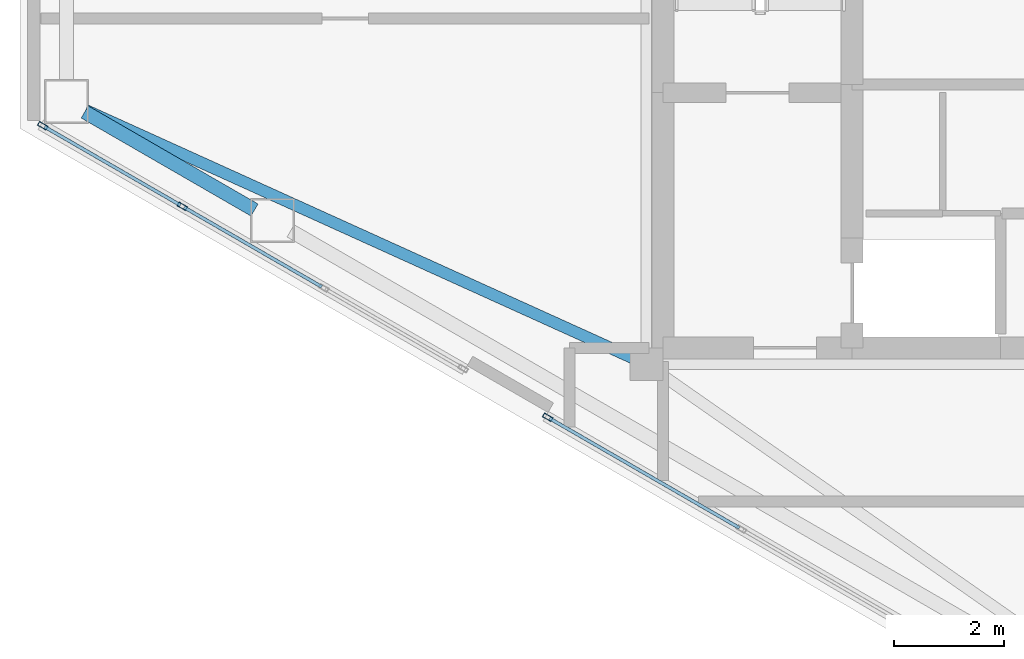
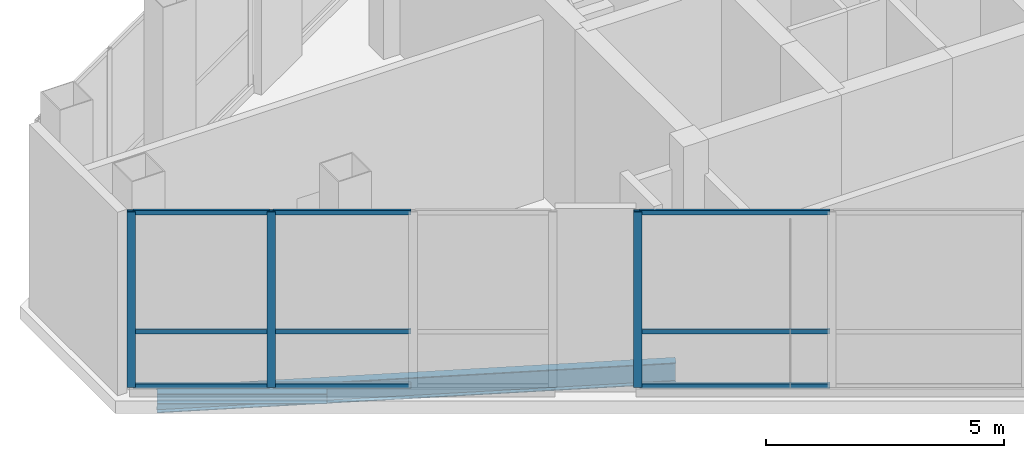
# One storey, part 3 of 13: 12 members, 2 beams, 2 elements without a shape of their own.
"""IFC4 building model written with IfcOpenShell, lengths in metres."""

from ifc_helpers import new_model, si_unit, direction, frame, origin, origin_2d, place, context, subcontext, project, spatial, hollow_rectangle, i_section, extrude, material, layer, layer_set, material_profile, profile_set, type_object, element, aggregate, save


model = new_model("IFC4")

# Units and contexts
model_context = context("Model", 3, precision=1e-05, world=origin(), true_north=direction((0.0, 1.0)))
body_context = subcontext(model_context, "Body", "Model", "MODEL_VIEW")
ifc_project = project(units=[si_unit("LENGTHUNIT", "METRE"), si_unit("AREAUNIT", "SQUARE_METRE"), si_unit("VOLUMEUNIT", "CUBIC_METRE"), si_unit("PLANEANGLEUNIT", "RADIAN"), si_unit("MASSUNIT", "GRAM", prefix="KILO")], contexts=[model_context])

# Site, building, storey
site_placement = place(None, origin())
site = spatial("IfcSite", under=ifc_project, at=site_placement, CompositionType="ELEMENT")
building_placement = place(site_placement, origin())
building = spatial("IfcBuilding", under=site, at=building_placement, Name="Mersakhor Tower and Convention Hall", CompositionType="ELEMENT")
storey_placement = place(building_placement, frame((0.0, 0.0, 258.60009765625)))
storey = spatial("IfcBuildingStorey", under=building, at=storey_placement, Name="L72", CompositionType="ELEMENT", Elevation=258.60009765625)

# Beams
ifc_material_1 = material(Name="Steel S355", Category="steel")
ifc_material_profile_1 = material_profile(ifc_material_1, i_section(OverallWidth=0.2099609375, OverallDepth=0.53662109375, WebThickness=0.0107421875, FlangeThickness=0.017333984375, at=origin_2d()), Name="UB 533x210x101")
ifc_profile_set_1 = profile_set([ifc_material_profile_1], Name="Steel S355")
beam_type_1 = type_object("IfcBeamType", Name="BM-FB-533", PredefinedType="BEAM", material=ifc_profile_set_1)
beam_1_placement = place(storey_placement, frame((21.64501953125, 20.565673828125, -0.58837890625), z_axis=(-0.910860191929, 0.412715047895, 0.0), x_axis=(-0.412715047895, -0.910860191929, 0.0)))
element("IfcBeam", 1, at=beam_1_placement, inside=storey, type_object=beam_type_1, Name="L72 Primary Floor Girder FG-6", PredefinedType="BEAM", context=body_context, shape_type="SweptSolid", body=[
    extrude(i_section(OverallWidth=0.2099609375, OverallDepth=0.53662109375, WebThickness=0.0107421875, FlangeThickness=0.017333984375, at=origin_2d()), origin(), (0.0, 0.0, 1.0), 10.9423828125),
])
ifc_material_2 = material(Name="Steel S355", Category="steel")
ifc_material_profile_2 = material_profile(ifc_material_2, i_section(OverallWidth=0.25634765625, OverallDepth=0.26025390625, WebThickness=0.01025390625, FlangeThickness=0.017333984375, at=origin_2d()), Name="UC 254x254x89")
ifc_profile_set_2 = profile_set([ifc_material_profile_2], Name="Steel S355")
beam_type_2 = type_object("IfcBeamType", Name="BM-SPD-UC254", PredefinedType="SPANDREL", material=ifc_profile_set_2)
beam_2_placement = place(storey_placement, frame((14.756591796875, 23.261474609375, -0.4501953125), z_axis=(-0.866032030752, 0.499988521579, 0.0), x_axis=(-0.499988521579, -0.866032030752, 0.0)))
element("IfcBeam", 2, at=beam_2_placement, inside=storey, type_object=beam_type_2, Name="L72 Perimeter Spandrel Beam SPB-11", PredefinedType="SPANDREL", context=body_context, shape_type="SweptSolid", body=[
    extrude(i_section(OverallWidth=0.25634765625, OverallDepth=0.26025390625, WebThickness=0.01025390625, FlangeThickness=0.017333984375, at=origin_2d()), origin(), (0.0, 0.0, 1.0), 3.57421875),
])

# Curtain wall, member
ifc_material_3 = material(Name="Dark solar low-E aluminium curtain wall", Category="aluminium")
ifc_layer = layer(ifc_material_3, 0.2099609375)
ifc_layer_set = layer_set([ifc_layer], Name="Dark solar low-E aluminium curtain wall")
curtain_wall_type = type_object("IfcCurtainWallType", Name="CW-SYS-06", PredefinedType="USERDEFINED", material=ifc_layer_set)
curtain_wall_1_placement = place(storey_placement, origin())
curtain_wall_1 = element("IfcCurtainWall", 3, at=curtain_wall_1_placement, inside=storey, type_object=curtain_wall_type, Name="L72 Dark-Glass Curtain Wall F3-B2", ObjectType="CURTAIN WALL", PredefinedType="USERDEFINED")
ifc_material_4 = material(Name="Anodised aluminium EN AW-6063 T6", Category="aluminium")
ifc_material_profile_3 = material_profile(ifc_material_4, hollow_rectangle(XDim=0.080078125, YDim=0.179931640625, WallThickness=0.008056640625, at=origin_2d()), Name="RHS 180x80x8")
ifc_profile_set_3 = profile_set([ifc_material_profile_3], Name="Anodised aluminium EN AW-6063 T6")
member_type_1 = type_object("IfcMemberType", Name="CWM-180x80", PredefinedType="MULLION", material=ifc_profile_set_3)
member_1_placement = place(storey_placement, frame((20.1005859375, 19.4833984375, 0.199951171875), z_axis=(0.0, 0.0, 1.0), x_axis=(-0.500004411169, -0.86602285698, 0.0)))
member_1 = element("IfcMember", 4, at=member_1_placement, type_object=member_type_1, Name="CW-06 mullion 3", PredefinedType="MULLION", context=body_context, shape_type="SweptSolid", body=[
    extrude(hollow_rectangle(XDim=0.080078125, YDim=0.179931640625, WallThickness=0.008056640625, at=origin_2d()), origin(), (0.0, 0.0, 1.0), 4.5),
])

# Curtain wall, members
curtain_wall_2_placement = place(storey_placement, origin())
curtain_wall_2 = element("IfcCurtainWall", 5, at=curtain_wall_2_placement, inside=storey, type_object=curtain_wall_type, Name="L72 Dark-Glass Curtain Wall F3-B3", ObjectType="CURTAIN WALL", PredefinedType="USERDEFINED")
member_2_placement = place(storey_placement, frame((13.439208984375, 23.329345703125, 0.199951171875), z_axis=(0.0, 0.0, 1.0), x_axis=(-0.5000000776, -0.866025358982, 0.0)))
member_2 = element("IfcMember", 6, at=member_2_placement, type_object=member_type_1, Name="CW-06 mullion 3", PredefinedType="MULLION", context=body_context, shape_type="SweptSolid", body=[
    extrude(hollow_rectangle(XDim=0.080078125, YDim=0.179931640625, WallThickness=0.008056640625, at=origin_2d()), origin(), (0.0, 0.0, 1.0), 4.5),
])
member_3_placement = place(storey_placement, frame((10.896484375, 24.79736328125, 0.199951171875), z_axis=(0.0, 0.0, 1.0), x_axis=(-0.5000000776, -0.866025358982, 0.0)))
member_3 = element("IfcMember", 7, at=member_3_placement, type_object=member_type_1, Name="CW-06 mullion 4", PredefinedType="MULLION", context=body_context, shape_type="SweptSolid", body=[
    extrude(hollow_rectangle(XDim=0.080078125, YDim=0.179931640625, WallThickness=0.008056640625, at=origin_2d()), origin(), (0.0, 0.0, 1.0), 4.5),
])

# Member
ifc_material_5 = material(Name="Anodised aluminium EN AW-6063 T6", Category="aluminium")
ifc_material_profile_4 = material_profile(ifc_material_5, hollow_rectangle(XDim=0.06005859375, YDim=0.1201171875, WallThickness=0.0048828125, at=origin_2d()), Name="RHS 120x60x5")
ifc_profile_set_4 = profile_set([ifc_material_profile_4], Name="Anodised aluminium EN AW-6063 T6")
member_type_2 = type_object("IfcMemberType", Name="CWT-120x60", PredefinedType="USERDEFINED", material=ifc_profile_set_4)
member_4_placement = place(storey_placement, frame((23.593994140625, 17.466552734375, 0.22998046875), z_axis=(-0.866033907579, 0.499985270706, 0.0), x_axis=(-0.499985270706, -0.866033907579, 0.0)))
member_4 = element("IfcMember", 8, at=member_4_placement, type_object=member_type_2, Name="CW-06 transom 2.1", ObjectType="TRANSOM", PredefinedType="USERDEFINED", context=body_context, shape_type="SweptSolid", body=[
    extrude(hollow_rectangle(XDim=0.06005859375, YDim=0.1201171875, WallThickness=0.0048828125, at=origin_2d()), origin(), (0.0, 0.0, 1.0), 3.99365234375),
])

member_5_placement = place(storey_placement, frame((23.593994140625, 17.466552734375, 1.619873046875), z_axis=(-0.866033907579, 0.499985270706, 0.0), x_axis=(-0.499985270706, -0.866033907579, 0.0)))
member_5 = element("IfcMember", 9, at=member_5_placement, type_object=member_type_2, Name="CW-06 transom 2.2", ObjectType="TRANSOM", PredefinedType="USERDEFINED", context=body_context, shape_type="SweptSolid", body=[
    extrude(hollow_rectangle(XDim=0.06005859375, YDim=0.1201171875, WallThickness=0.0048828125, at=origin_2d()), origin(), (0.0, 0.0, 1.0), 3.99365234375),
])

member_6_placement = place(storey_placement, frame((23.593994140625, 17.466552734375, 4.669921875), z_axis=(-0.866033907579, 0.499985270706, 0.0), x_axis=(-0.499985270706, -0.866033907579, 0.0)))
member_6 = element("IfcMember", 10, at=member_6_placement, type_object=member_type_2, Name="CW-06 transom 2.3", ObjectType="TRANSOM", PredefinedType="USERDEFINED", context=body_context, shape_type="SweptSolid", body=[
    extrude(hollow_rectangle(XDim=0.06005859375, YDim=0.1201171875, WallThickness=0.0048828125, at=origin_2d()), origin(), (0.0, 0.0, 1.0), 3.99365234375),
])

aggregate(curtain_wall_1, [member_1, member_4, member_5, member_6])

member_7_placement = place(storey_placement, frame((15.981689453125, 21.861328125, 0.22998046875), z_axis=(-0.866008682139, 0.500028961621, 0.0), x_axis=(-0.500028961621, -0.866008682139, 0.0)))
member_7 = element("IfcMember", 11, at=member_7_placement, type_object=member_type_2, Name="CW-06 transom 2.1", ObjectType="TRANSOM", PredefinedType="USERDEFINED", context=body_context, shape_type="SweptSolid", body=[
    extrude(hollow_rectangle(XDim=0.06005859375, YDim=0.1201171875, WallThickness=0.0048828125, at=origin_2d()), origin(), (0.0, 0.0, 1.0), 2.895751953125),
])

member_8_placement = place(storey_placement, frame((15.981689453125, 21.861328125, 1.619873046875), z_axis=(-0.866008682139, 0.500028961621, 0.0), x_axis=(-0.500028961621, -0.866008682139, 0.0)))
member_8 = element("IfcMember", 12, at=member_8_placement, type_object=member_type_2, Name="CW-06 transom 2.2", ObjectType="TRANSOM", PredefinedType="USERDEFINED", context=body_context, shape_type="SweptSolid", body=[
    extrude(hollow_rectangle(XDim=0.06005859375, YDim=0.1201171875, WallThickness=0.0048828125, at=origin_2d()), origin(), (0.0, 0.0, 1.0), 2.895751953125),
])

member_9_placement = place(storey_placement, frame((15.981689453125, 21.861328125, 4.669921875), z_axis=(-0.866008682139, 0.500028961621, 0.0), x_axis=(-0.500028961621, -0.866008682139, 0.0)))
member_9 = element("IfcMember", 13, at=member_9_placement, type_object=member_type_2, Name="CW-06 transom 2.3", ObjectType="TRANSOM", PredefinedType="USERDEFINED", context=body_context, shape_type="SweptSolid", body=[
    extrude(hollow_rectangle(XDim=0.06005859375, YDim=0.1201171875, WallThickness=0.0048828125, at=origin_2d()), origin(), (0.0, 0.0, 1.0), 2.895751953125),
])

member_10_placement = place(storey_placement, frame((13.404541015625, 23.349365234375, 0.22998046875), z_axis=(-0.866030422172, 0.499991307796, 0.0), x_axis=(-0.499991307796, -0.866030422172, 0.0)))
member_10 = element("IfcMember", 14, at=member_10_placement, type_object=member_type_2, Name="CW-06 transom 3.1", ObjectType="TRANSOM", PredefinedType="USERDEFINED", context=body_context, shape_type="SweptSolid", body=[
    extrude(hollow_rectangle(XDim=0.06005859375, YDim=0.1201171875, WallThickness=0.0048828125, at=origin_2d()), origin(), (0.0, 0.0, 1.0), 2.85595703125),
])

member_11_placement = place(storey_placement, frame((13.404541015625, 23.349365234375, 1.619873046875), z_axis=(-0.866030422172, 0.499991307796, 0.0), x_axis=(-0.499991307796, -0.866030422172, 0.0)))
member_11 = element("IfcMember", 15, at=member_11_placement, type_object=member_type_2, Name="CW-06 transom 3.2", ObjectType="TRANSOM", PredefinedType="USERDEFINED", context=body_context, shape_type="SweptSolid", body=[
    extrude(hollow_rectangle(XDim=0.06005859375, YDim=0.1201171875, WallThickness=0.0048828125, at=origin_2d()), origin(), (0.0, 0.0, 1.0), 2.85595703125),
])

member_12_placement = place(storey_placement, frame((13.404541015625, 23.349365234375, 4.669921875), z_axis=(-0.866030422172, 0.499991307796, 0.0), x_axis=(-0.499991307796, -0.866030422172, 0.0)))
member_12 = element("IfcMember", 16, at=member_12_placement, type_object=member_type_2, Name="CW-06 transom 3.3", ObjectType="TRANSOM", PredefinedType="USERDEFINED", context=body_context, shape_type="SweptSolid", body=[
    extrude(hollow_rectangle(XDim=0.06005859375, YDim=0.1201171875, WallThickness=0.0048828125, at=origin_2d()), origin(), (0.0, 0.0, 1.0), 2.85595703125),
])

aggregate(curtain_wall_2, [member_2, member_3, member_7, member_8, member_9, member_10, member_11, member_12])

save(model, "model.ifc")
